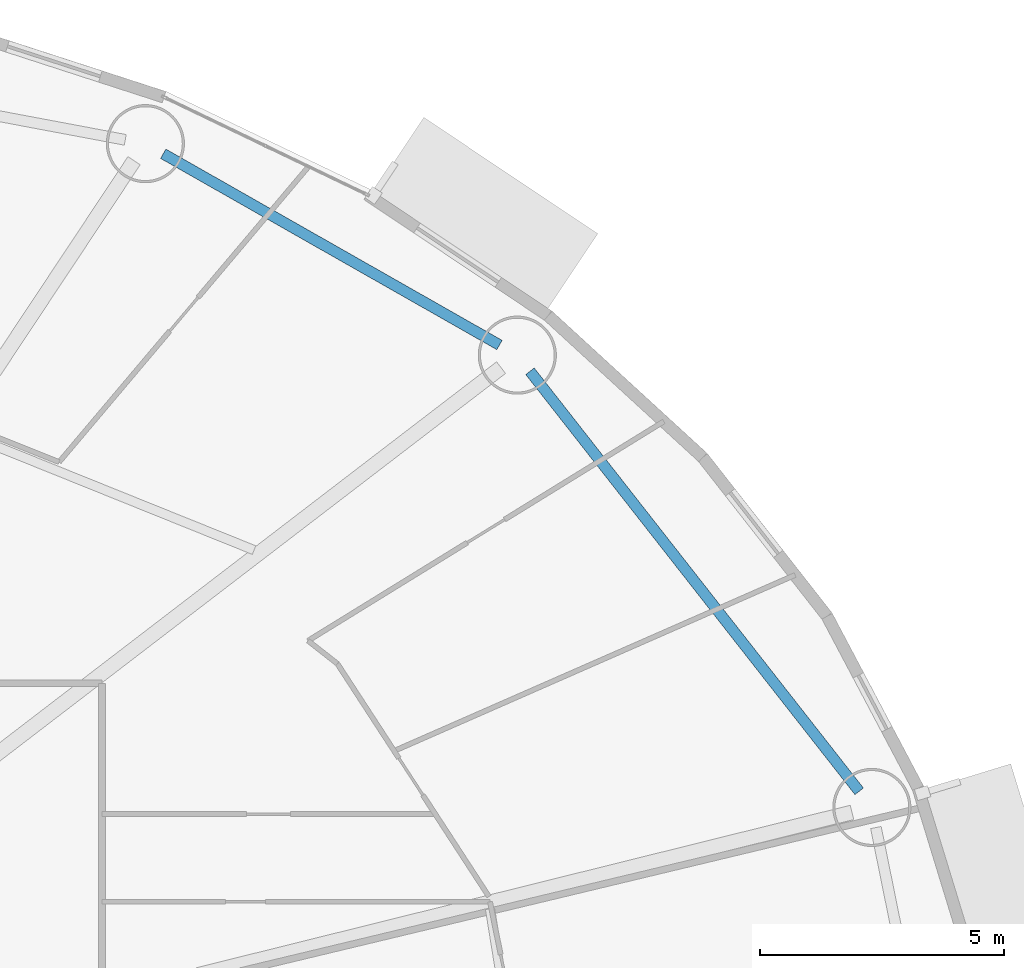
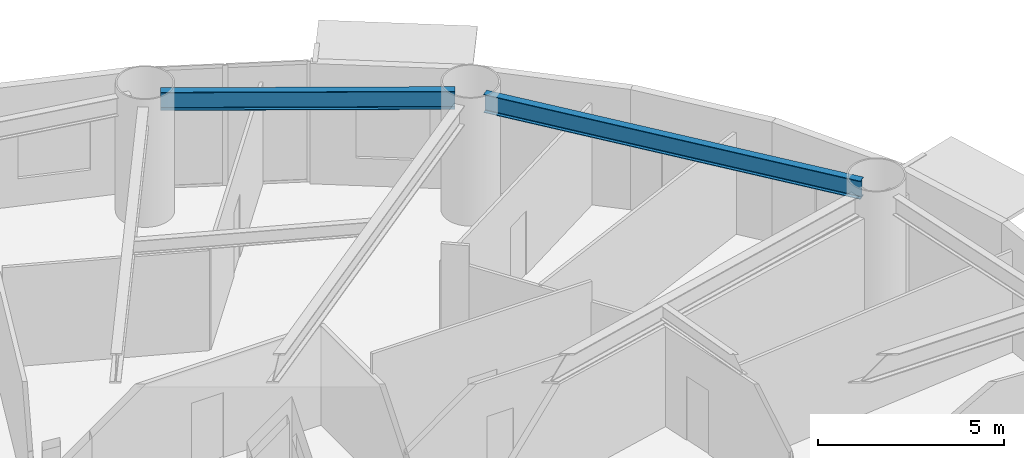
# One storey, part 5 of 21: 2 beams.
"""IFC4 building model written with IfcOpenShell, lengths in metres."""

from ifc_helpers import new_model, si_unit, direction, frame, origin, origin_2d, place, context, subcontext, project, spatial, i_section, extrude, material, material_profile, profile_set, type_object, element, save


model = new_model("IFC4")

# Units and contexts
model_context = context("Model", 3, precision=1e-05, world=origin(), true_north=direction((0.0, 1.0)))
body_context = subcontext(model_context, "Body", "Model", "MODEL_VIEW")
ifc_project = project(units=[si_unit("LENGTHUNIT", "METRE"), si_unit("AREAUNIT", "SQUARE_METRE"), si_unit("VOLUMEUNIT", "CUBIC_METRE"), si_unit("PLANEANGLEUNIT", "RADIAN"), si_unit("MASSUNIT", "GRAM", prefix="KILO")], contexts=[model_context])

# Site, building, storey
site_placement = place(None, origin())
site = spatial("IfcSite", under=ifc_project, at=site_placement, CompositionType="ELEMENT")
building_placement = place(site_placement, origin())
building = spatial("IfcBuilding", under=site, at=building_placement, Name="Linh Dai School and Residence Tower", CompositionType="ELEMENT")
storey_placement = place(building_placement, frame((0.0, 0.0, 78.60009765625)))
storey = spatial("IfcBuildingStorey", under=building, at=storey_placement, Name="L18", CompositionType="ELEMENT", Elevation=78.60009765625)

# Beams
ifc_material = material(Name="Structural Steel S355JR", Category="steel")
ifc_material_profile = material_profile(ifc_material, i_section(OverallWidth=0.219970703125, OverallDepth=0.60009765625, WebThickness=0.011962890625, FlangeThickness=0.01904296875, FilletRadius=0.02392578125, at=origin_2d()), Name="IPE 600")
ifc_profile_set = profile_set([ifc_material_profile], Name="Structural Steel S355JR")
beam_type = type_object("IfcBeamType", Name="BM-RB60", PredefinedType="BEAM", material=ifc_profile_set)
beam_1_placement = place(storey_placement, frame((64.351806640625, 34.439208984375, 3.64990234375), z_axis=(-0.616878670407, 0.787058260866, 0.0), x_axis=(-0.787058260866, -0.616878670407, 0.0)))
element("IfcBeam", 1, at=beam_1_placement, inside=storey, type_object=beam_type, Name="L18 Perimeter Elliptical Ring Beam 02", PredefinedType="BEAM", context=body_context, shape_type="SweptSolid", body=[
    extrude(i_section(OverallWidth=0.219970703125, OverallDepth=0.60009765625, WebThickness=0.011962890625, FlangeThickness=0.01904296875, FilletRadius=0.02392578125, at=origin_2d()), origin(), (0.0, 0.0, 1.0), 10.926025390625),
])
beam_2_placement = place(storey_placement, frame((56.987548828125, 43.57666015625, 3.64990234375), z_axis=(-0.869271416992, 0.494335112653, 0.0), x_axis=(-0.494335112653, -0.869271416992, 0.0)))
element("IfcBeam", 2, at=beam_2_placement, inside=storey, type_object=beam_type, Name="L18 Perimeter Elliptical Ring Beam 03", PredefinedType="BEAM", context=body_context, shape_type="SweptSolid", body=[
    extrude(i_section(OverallWidth=0.219970703125, OverallDepth=0.60009765625, WebThickness=0.011962890625, FlangeThickness=0.01904296875, FilletRadius=0.02392578125, at=origin_2d()), origin(), (0.0, 0.0, 1.0), 7.91943359375),
])

save(model, "model.ifc")
